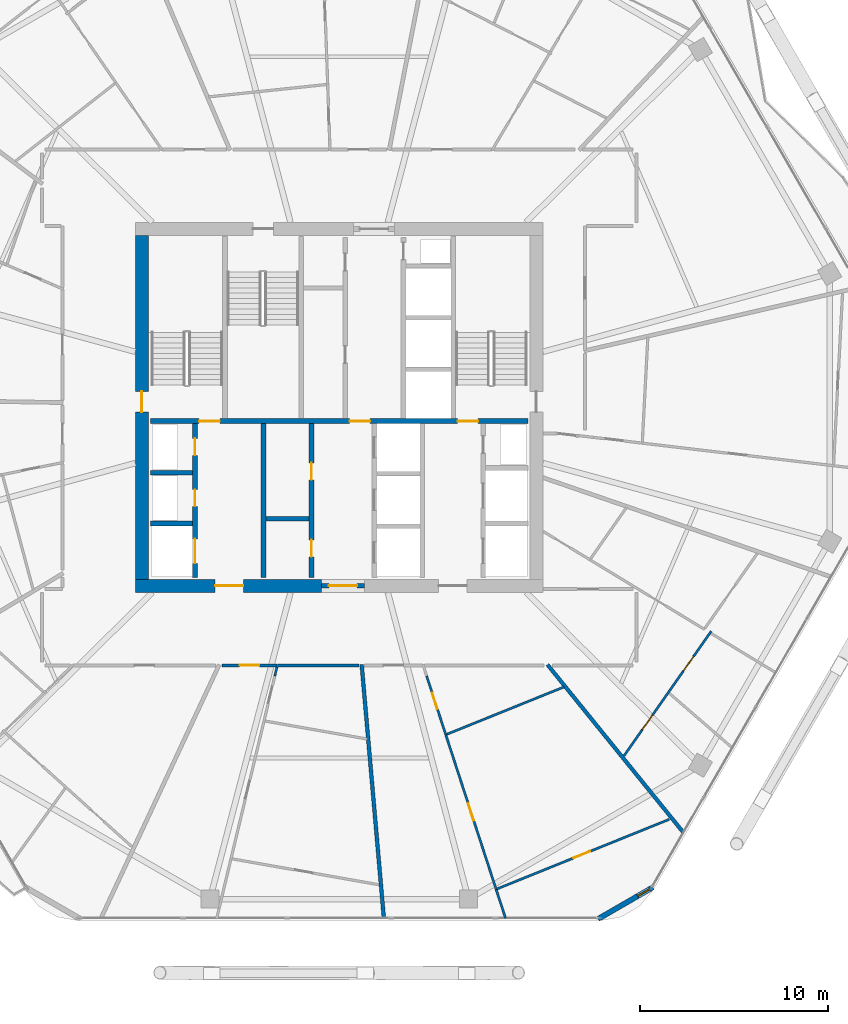
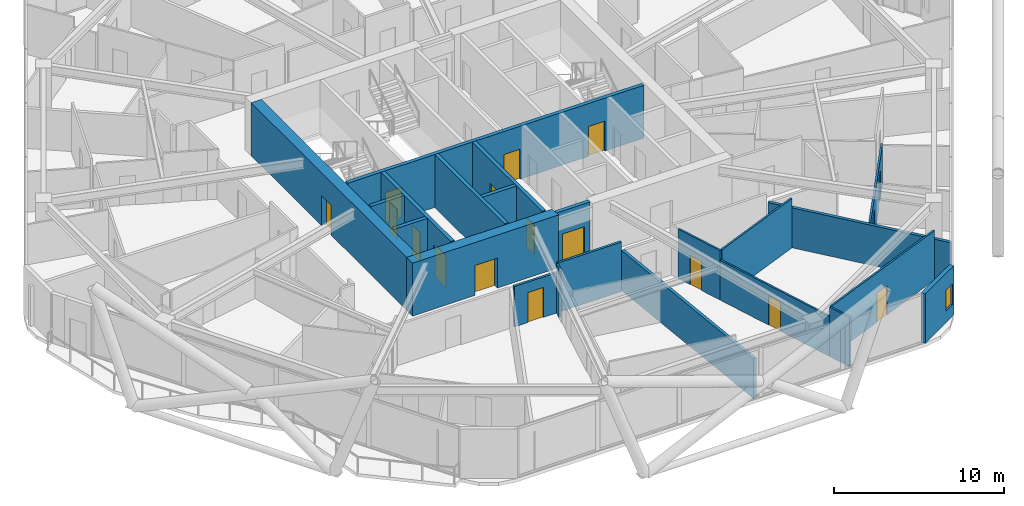
# One storey, part 20 of 27: 22 walls, 17 doors, 1 window, 18 openings.
"""IFC4 building model written with IfcOpenShell, lengths in metres."""

from ifc_helpers import new_model, si_unit, direction, frame, frame_2d, origin, place, context, subcontext, project, spatial, rectangle, extrude, material, layer, layer_set, type_object, element, fill, save


model = new_model("IFC4")

# Units and contexts
model_context = context("Model", 3, precision=1e-05, world=origin(), true_north=direction((0.0, 1.0)))
body_context = subcontext(model_context, "Body", "Model", "MODEL_VIEW")
ifc_project = project(units=[si_unit("LENGTHUNIT", "METRE"), si_unit("AREAUNIT", "SQUARE_METRE"), si_unit("VOLUMEUNIT", "CUBIC_METRE"), si_unit("PLANEANGLEUNIT", "RADIAN"), si_unit("MASSUNIT", "GRAM", prefix="KILO")], contexts=[model_context])

# Site, building, storey
site_placement = place(None, origin())
site = spatial("IfcSite", under=ifc_project, at=site_placement, CompositionType="ELEMENT")
building_placement = place(site_placement, origin())
building = spatial("IfcBuilding", under=site, at=building_placement, Name="Zuhravey Tower", CompositionType="ELEMENT")
storey_placement = place(building_placement, frame((0.0, 0.0, 215.0)))
storey = spatial("IfcBuildingStorey", under=building, at=storey_placement, Name="L54", CompositionType="ELEMENT", Elevation=215.0)

# Wall, opening, door
ifc_material_1 = material(Name="Concrete C60/75", Category="concrete")
ifc_layer_1 = layer(ifc_material_1, 0.699951171875)
ifc_layer_set_1 = layer_set([ifc_layer_1], Name="Concrete C60/75")
wall_type_1 = type_object("IfcWallType", Name="Core Shear Wall 700", PredefinedType="SHEAR", material=ifc_layer_set_1)
wall_1_placement = place(storey_placement, frame((25.14990234375, 22.5, 0.0), z_axis=(0.0, 0.0, 1.0), x_axis=(1.0, 0.0, 0.0)))
wall_1 = element("IfcWall", 1, at=wall_1_placement, inside=storey, type_object=wall_type_1, Name="L54 South-West Core Shear Wall CW70", PredefinedType="SHEAR", context=body_context, shape_type="SweptSolid", body=[
    extrude(rectangle(XDim=9.900146484375, YDim=0.699951171875, at=frame_2d((4.9501953125, 0.0))), origin(), (0.0, 0.0, 1.0), 3.800048828125),
])
opening_1_placement = place(wall_1_placement, frame((4.25, 0.0, 0.0)))
opening_1 = element("IfcOpeningElement", 2, at=opening_1_placement, cuts=wall_1, Name="Opening FFD1", PredefinedType="OPENING", context=body_context, shape_type="SweptSolid", body=[
    extrude(rectangle(XDim=1.5, YDim=2.14990234375, at=frame_2d((0.75, 1.074951171875))), frame((0.0, 0.362060546875, 0.0), z_axis=(0.0, -1.0, 0.0), x_axis=(1.0, 0.0, 0.0)), (0.0, 0.0, 1.0), 0.723876953125),
])
ifc_material_2 = material(Name="Galvanised fire-rated steel leaf", Category="steel")
door_type_1 = type_object("IfcDoorType", Name="Firefighting Lobby Double Door 1500x2150", OperationType="DOUBLE_DOOR_SINGLE_SWING", PredefinedType="DOOR", material=ifc_material_2)
door_1_placement = place(opening_1_placement, origin())
door_1 = element("IfcDoor", 3, at=door_1_placement, inside=storey, type_object=door_type_1, Name="L54 Firefighting Lobby West Door", OperationType="DOUBLE_DOOR_SINGLE_SWING", OverallHeight=2.14990234375, OverallWidth=1.5, PredefinedType="DOOR", context=body_context, shape_type="SweptSolid", body=[
    extrude(rectangle(XDim=1.5, YDim=2.14990234375, at=frame_2d((0.75, 1.074951171875))), frame((0.0, 0.02490234375, 0.0), z_axis=(0.0, -1.0, 0.0), x_axis=(1.0, 0.0, 0.0)), (0.0, 0.0, 1.0), 0.050048828125),
])
fill(opening_1, door_1)

wall_2_placement = place(storey_placement, frame((25.5, 22.85009765625, 0.0), z_axis=(0.0, 0.0, 1.0), x_axis=(0.0, 1.0, 0.0)))
wall_2 = element("IfcWall", 4, at=wall_2_placement, inside=storey, type_object=wall_type_1, Name="L54 West Core Shear Wall CW70", PredefinedType="SHEAR", context=body_context, shape_type="SweptSolid", body=[
    extrude(rectangle(XDim=18.2998046875, YDim=0.699951171875, at=frame_2d((9.14990234375, 0.0))), origin(), (0.0, 0.0, 1.0), 3.800048828125),
])
opening_2_placement = place(wall_2_placement, frame((8.89990234375, 0.0, 0.0)))
opening_2 = element("IfcOpeningElement", 5, at=opening_2_placement, cuts=wall_2, Name="Opening STD1", PredefinedType="OPENING", context=body_context, shape_type="SweptSolid", body=[
    extrude(rectangle(XDim=1.10009765625, YDim=2.14990234375, at=frame_2d((0.550048828125, 1.074951171875))), frame((0.0, 0.362060546875, 0.0), z_axis=(0.0, -1.0, 0.0), x_axis=(1.0, 0.0, 0.0)), (0.0, 0.0, 1.0), 0.723876953125),
])
door_type_2 = type_object("IfcDoorType", Name="Protected Stair Fire Door 1100x2150", OperationType="NOTDEFINED", PredefinedType="USERDEFINED", material=ifc_material_2)
door_2_placement = place(opening_2_placement, frame((1.10009765625, 0.0, 0.0), z_axis=(0.0, 0.0, 1.0), x_axis=(-1.0, 0.0, 0.0)))
door_2 = element("IfcDoor", 6, at=door_2_placement, inside=storey, type_object=door_type_2, Name="L54 Stair ST1 Door", ObjectType="EXITDOOR", OperationType="SINGLE_SWING_LEFT", OverallHeight=2.14990234375, OverallWidth=1.10009765625, PredefinedType="USERDEFINED", context=body_context, shape_type="SweptSolid", body=[
    extrude(rectangle(XDim=1.10009765625, YDim=2.14990234375, at=frame_2d((0.550048828125, 1.074951171875))), frame((0.0, 0.02490234375, 0.0), z_axis=(0.0, -1.0, 0.0), x_axis=(1.0, 0.0, 0.0)), (0.0, 0.0, 1.0), 0.050048828125),
])
fill(opening_2, door_2)

ifc_material_3 = material(Name="Gypsum fire-rated stud partition")
ifc_layer_2 = layer(ifc_material_3, 0.159912109375)
ifc_layer_set_2 = layer_set([ifc_layer_2], Name="Gypsum fire-rated stud partition")
wall_type_2 = type_object("IfcWallType", Name="Corridor Fire Partition 160", PredefinedType="PARTITIONING", material=ifc_layer_set_2)
wall_3_placement = place(storey_placement, frame((29.764892578125, 18.27001953125, 0.0), z_axis=(0.0, 0.0, 1.0), x_axis=(1.0, 0.0, 0.0)))
wall_3 = element("IfcWall", 7, at=wall_3_placement, inside=storey, type_object=wall_type_2, Name="L54 IW16 Partition 055", PredefinedType="PARTITIONING", context=body_context, shape_type="SweptSolid", body=[
    extrude(rectangle(XDim=2.92333984375, YDim=0.159912109375, at=frame_2d((1.461669921875, 0.0))), origin(), (0.0, 0.0, 1.0), 2.89990234375),
])
opening_3_placement = place(wall_3_placement, frame((0.936767578125, 0.0, 0.0)))
opening_3 = element("IfcOpeningElement", 8, at=opening_3_placement, cuts=wall_3, Name="Opening APD1", PredefinedType="OPENING", context=body_context, shape_type="SweptSolid", body=[
    extrude(rectangle(XDim=1.050048828125, YDim=2.14990234375, at=frame_2d((0.52490234375, 1.074951171875))), frame((0.0, 0.092041015625, 0.0), z_axis=(0.0, -1.0, 0.0), x_axis=(1.0, 0.0, 0.0)), (0.0, 0.0, 1.0), 0.183837890625),
])
ifc_material_4 = material(Name="Solid-core oak fire-rated leaf")
door_type_3 = type_object("IfcDoorType", Name="Apartment Entrance Fire Door 1050x2150", OperationType="NOTDEFINED", PredefinedType="DOOR", material=ifc_material_4)
door_3_placement = place(opening_3_placement, frame((1.050048828125, 0.0, 0.0), z_axis=(0.0, 0.0, 1.0), x_axis=(-1.0, 0.0, 0.0)))
door_3 = element("IfcDoor", 9, at=door_3_placement, inside=storey, type_object=door_type_3, Name="L54 Door 055.1", OperationType="SINGLE_SWING_LEFT", OverallHeight=2.14990234375, OverallWidth=1.050048828125, PredefinedType="DOOR", context=body_context, shape_type="SweptSolid", body=[
    extrude(rectangle(XDim=1.050048828125, YDim=2.14990234375, at=frame_2d((0.52490234375, 1.074951171875))), frame((0.0, 0.02490234375, 0.0), z_axis=(0.0, -1.0, 0.0), x_axis=(1.0, 0.0, 0.0)), (0.0, 0.0, 1.0), 0.050048828125),
])
fill(opening_3, door_3)

# Wall
wall_4_placement = place(storey_placement, frame((32.7294921875, 18.27001953125, 0.0), z_axis=(0.0, 0.0, 1.0), x_axis=(1.0, 0.0, 0.0)))
element("IfcWall", 10, at=wall_4_placement, inside=storey, type_object=wall_type_2, Name="L54 IW16 Partition 134", PredefinedType="PARTITIONING", context=body_context, shape_type="SweptSolid", body=[
    extrude(rectangle(XDim=4.3310546875, YDim=0.159912109375, at=frame_2d((2.16552734375, 0.0))), origin(), (0.0, 0.0, 1.0), 3.550048828125),
])

# Wall, opening, window
ifc_material_5 = material(Name="Precast concrete C40/50", Category="concrete")
ifc_layer_3 = layer(ifc_material_5, 0.280029296875)
ifc_layer_set_3 = layer_set([ifc_layer_3], Name="Precast concrete C40/50")
wall_type_3 = type_object("IfcWallType", Name="Crown Architectural Wall 280", PredefinedType="SOLIDWALL", material=ifc_layer_set_3)
wall_5_placement = place(storey_placement, frame((52.693115234375, 6.451904296875, 0.0), z_axis=(0.0, 0.0, 1.0), x_axis=(-0.866020068361, -0.500009241111, 0.0)))
wall_5 = element("IfcWall", 11, at=wall_5_placement, inside=storey, type_object=wall_type_3, Name="L54 Rounded Corner Closure Wall EW28-02", PredefinedType="SOLIDWALL", context=body_context, shape_type="SweptSolid", body=[
    extrude(rectangle(XDim=3.365234375, YDim=0.280029296875, at=frame_2d((1.6826171875, 0.0))), origin(), (0.0, 0.0, 1.0), 3.550048828125),
])
opening_4_placement = place(wall_5_placement, frame((0.17919921875, 0.0, 0.85009765625)))
opening_4 = element("IfcOpeningElement", 12, at=opening_4_placement, cuts=wall_5, Name="Opening WN5", PredefinedType="OPENING", context=body_context, shape_type="SweptSolid", body=[
    extrude(rectangle(XDim=0.75, YDim=1.5, at=frame_2d((0.375, 0.75))), frame((0.0, 0.152099609375, 0.0), z_axis=(0.0, -1.0, 0.0), x_axis=(1.0, 0.0, 0.0)), (0.0, 0.0, 1.0), 0.303955078125),
])
ifc_material_6 = material(Name="Thermally broken aluminium and triple low-E glass", Category="aluminium")
window_type = type_object("IfcWindowType", Name="Residential Corner Casement Window 750x1500", PartitioningType="SINGLE_PANEL", PredefinedType="WINDOW", material=ifc_material_6)
window_placement = place(opening_4_placement, origin())
window = element("IfcWindow", 13, at=window_placement, inside=storey, type_object=window_type, Name="L54 Corner Casement Window WN5-02.1", OverallHeight=1.5, OverallWidth=0.75, PartitioningType="SINGLE_PANEL", PredefinedType="WINDOW", context=body_context, shape_type="SweptSolid", body=[
    extrude(rectangle(XDim=0.75, YDim=1.5, at=frame_2d((0.375, 0.75))), frame((0.0, 0.030029296875, 0.0), z_axis=(0.0, -1.0, 0.0), x_axis=(1.0, 0.0, 0.0)), (0.0, 0.0, 1.0), 0.06005859375),
])
fill(opening_4, window)

# Wall, opening, door
ifc_material_7 = material(Name="Concrete C50/60", Category="concrete")
ifc_layer_4 = layer(ifc_material_7, 0.25)
ifc_layer_set_4 = layer_set([ifc_layer_4], Name="Concrete C50/60")
wall_type_4 = type_object("IfcWallType", Name="Firefighting Shaft & Stair Wall 250", PredefinedType="SOLIDWALL", material=ifc_layer_set_4)
wall_6_placement = place(storey_placement, frame((35.06005859375, 22.5, 0.0), z_axis=(0.0, 0.0, 1.0), x_axis=(1.0, 0.0, 0.0)))
wall_6 = element("IfcWall", 14, at=wall_6_placement, inside=storey, type_object=wall_type_4, Name="L54 FW25 Shaft Wall 001", PredefinedType="SOLIDWALL", context=body_context, shape_type="SweptSolid", body=[
    extrude(rectangle(XDim=2.280029296875, YDim=0.25, at=frame_2d((1.14013671875, 0.0))), origin(), (0.0, 0.0, 1.0), 3.800048828125),
])
opening_5_placement = place(wall_6_placement, frame((0.389892578125, 0.0, 0.0)))
opening_5 = element("IfcOpeningElement", 15, at=opening_5_placement, cuts=wall_6, Name="Opening FFD1", PredefinedType="OPENING", context=body_context, shape_type="SweptSolid", body=[
    extrude(rectangle(XDim=1.5, YDim=2.14990234375, at=frame_2d((0.75, 1.074951171875))), frame((0.0, 0.136962890625, 0.0), z_axis=(0.0, -1.0, 0.0), x_axis=(1.0, 0.0, 0.0)), (0.0, 0.0, 1.0), 0.27392578125),
])
door_4_placement = place(opening_5_placement, frame((1.5, 0.0, 0.0), z_axis=(0.0, 0.0, 1.0), x_axis=(-1.0, 0.0, 0.0)))
door_4 = element("IfcDoor", 16, at=door_4_placement, inside=storey, type_object=door_type_1, Name="L54 South Lift Lobby Exit Door", OperationType="DOUBLE_DOOR_SINGLE_SWING", OverallHeight=2.14990234375, OverallWidth=1.5, PredefinedType="DOOR", context=body_context, shape_type="SweptSolid", body=[
    extrude(rectangle(XDim=1.5, YDim=2.14990234375, at=frame_2d((0.75, 1.074951171875))), frame((0.0, 0.02490234375, 0.0), z_axis=(0.0, -1.0, 0.0), x_axis=(1.0, 0.0, 0.0)), (0.0, 0.0, 1.0), 0.050048828125),
])
fill(opening_5, door_4)

# Wall, openings, doors
wall_7_placement = place(storey_placement, frame((25.949951171875, 31.27490234375, 0.0), z_axis=(0.0, 0.0, 1.0), x_axis=(1.0, 0.0, 0.0)))
wall_7 = element("IfcWall", 17, at=wall_7_placement, inside=storey, type_object=wall_type_4, Name="L54 FW25 Shaft Wall 003", PredefinedType="SOLIDWALL", context=body_context, shape_type="SweptSolid", body=[
    extrude(rectangle(XDim=20.10009765625, YDim=0.25, at=frame_2d((10.050048828125, 0.0))), origin(), (0.0, 0.0, 1.0), 3.800048828125),
])
opening_6_placement = place(wall_7_placement, frame((2.60009765625, 0.0, 0.0)))
opening_6 = element("IfcOpeningElement", 18, at=opening_6_placement, cuts=wall_7, Name="Opening STD1", PredefinedType="OPENING", context=body_context, shape_type="SweptSolid", body=[
    extrude(rectangle(XDim=1.10009765625, YDim=2.14990234375, at=frame_2d((0.550048828125, 1.074951171875))), frame((0.0, 0.136962890625, 0.0), z_axis=(0.0, -1.0, 0.0), x_axis=(1.0, 0.0, 0.0)), (0.0, 0.0, 1.0), 0.27392578125),
])
opening_7_placement = place(wall_7_placement, frame((10.60009765625, 0.0, 0.0)))
opening_7 = element("IfcOpeningElement", 19, at=opening_7_placement, cuts=wall_7, Name="Opening STD1", PredefinedType="OPENING", context=body_context, shape_type="SweptSolid", body=[
    extrude(rectangle(XDim=1.10009765625, YDim=2.14990234375, at=frame_2d((0.550048828125, 1.074951171875))), frame((0.0, 0.136962890625, 0.0), z_axis=(0.0, -1.0, 0.0), x_axis=(1.0, 0.0, 0.0)), (0.0, 0.0, 1.0), 0.27392578125),
])
opening_8_placement = place(wall_7_placement, frame((16.35009765625, 0.0, 0.0)))
opening_8 = element("IfcOpeningElement", 20, at=opening_8_placement, cuts=wall_7, Name="Opening STD1", PredefinedType="OPENING", context=body_context, shape_type="SweptSolid", body=[
    extrude(rectangle(XDim=1.10009765625, YDim=2.14990234375, at=frame_2d((0.550048828125, 1.074951171875))), frame((0.0, 0.136962890625, 0.0), z_axis=(0.0, -1.0, 0.0), x_axis=(1.0, 0.0, 0.0)), (0.0, 0.0, 1.0), 0.27392578125),
])
door_5_placement = place(opening_6_placement, origin())
door_5 = element("IfcDoor", 21, at=door_5_placement, inside=storey, type_object=door_type_2, Name="L54 FFL-W to ST1 Door", ObjectType="EXITDOOR", OperationType="SINGLE_SWING_RIGHT", OverallHeight=2.14990234375, OverallWidth=1.10009765625, PredefinedType="USERDEFINED", context=body_context, shape_type="SweptSolid", body=[
    extrude(rectangle(XDim=1.10009765625, YDim=2.14990234375, at=frame_2d((0.550048828125, 1.074951171875))), frame((0.0, 0.02490234375, 0.0), z_axis=(0.0, -1.0, 0.0), x_axis=(1.0, 0.0, 0.0)), (0.0, 0.0, 1.0), 0.050048828125),
])
fill(opening_6, door_5)
door_6_placement = place(opening_7_placement, origin())
door_6 = element("IfcDoor", 22, at=door_6_placement, inside=storey, type_object=door_type_2, Name="L54 Core Lobby Link Door", ObjectType="EXITDOOR", OperationType="SINGLE_SWING_LEFT", OverallHeight=2.14990234375, OverallWidth=1.10009765625, PredefinedType="USERDEFINED", context=body_context, shape_type="SweptSolid", body=[
    extrude(rectangle(XDim=1.10009765625, YDim=2.14990234375, at=frame_2d((0.550048828125, 1.074951171875))), frame((0.0, 0.02490234375, 0.0), z_axis=(0.0, -1.0, 0.0), x_axis=(1.0, 0.0, 0.0)), (0.0, 0.0, 1.0), 0.050048828125),
])
fill(opening_7, door_6)
door_7_placement = place(opening_8_placement, origin())
door_7 = element("IfcDoor", 23, at=door_7_placement, inside=storey, type_object=door_type_2, Name="L54 FFL-E to ST2 Door", ObjectType="EXITDOOR", OperationType="SINGLE_SWING_RIGHT", OverallHeight=2.14990234375, OverallWidth=1.10009765625, PredefinedType="USERDEFINED", context=body_context, shape_type="SweptSolid", body=[
    extrude(rectangle(XDim=1.10009765625, YDim=2.14990234375, at=frame_2d((0.550048828125, 1.074951171875))), frame((0.0, 0.02490234375, 0.0), z_axis=(0.0, -1.0, 0.0), x_axis=(1.0, 0.0, 0.0)), (0.0, 0.0, 1.0), 0.050048828125),
])
fill(opening_8, door_7)

# Walls
for number, where, z_axis, x_axis, name in (
    (24, (25.949951171875, 25.824951171875, 0.0), (0.0, 0.0, 1.0), (1.0, 0.0, 0.0), "L54 FW25 Shaft Wall 009"),
    (25, (25.949951171875, 28.52490234375, 0.0), (0.0, 0.0, 1.0), (1.0, 0.0, 0.0), "L54 FW25 Shaft Wall 010"),
):
    element("IfcWall", number, at=place(storey_placement, frame(where, z_axis=z_axis, x_axis=x_axis)), inside=storey, type_object=wall_type_4, Name=name, PredefinedType="SOLIDWALL", context=body_context, shape_type="SweptSolid", body=[
        extrude(rectangle(XDim=2.25, YDim=0.25, at=frame_2d((1.125, 0.0))), origin(), (0.0, 0.0, 1.0), 3.800048828125),
    ])

# Wall, openings, doors
wall_8_placement = place(storey_placement, frame((28.324951171875, 22.949951171875, 0.0), z_axis=(0.0, 0.0, 1.0), x_axis=(0.0, 1.0, 0.0)))
wall_8 = element("IfcWall", 26, at=wall_8_placement, inside=storey, type_object=wall_type_4, Name="L54 FW25 Shaft Wall 011", PredefinedType="SOLIDWALL", context=body_context, shape_type="SweptSolid", body=[
    extrude(rectangle(XDim=8.199951171875, YDim=0.25, at=frame_2d((4.10009765625, 0.0))), origin(), (0.0, 0.0, 1.0), 3.800048828125),
])
opening_9_placement = place(wall_8_placement, frame((0.75, 0.0, 0.0)))
opening_9 = element("IfcOpeningElement", 27, at=opening_9_placement, cuts=wall_8, Name="Opening LD2", PredefinedType="OPENING", context=body_context, shape_type="SweptSolid", body=[
    extrude(rectangle(XDim=1.300048828125, YDim=2.300048828125, at=frame_2d((0.64990234375, 1.14990234375))), frame((0.0, 0.136962890625, 0.0), z_axis=(0.0, -1.0, 0.0), x_axis=(1.0, 0.0, 0.0)), (0.0, 0.0, 1.0), 0.27392578125),
])
opening_10_placement = place(wall_8_placement, frame((3.780029296875, 0.0, 0.0)))
opening_10 = element("IfcOpeningElement", 28, at=opening_10_placement, cuts=wall_8, Name="Opening RSD1", PredefinedType="OPENING", context=body_context, shape_type="SweptSolid", body=[
    extrude(rectangle(XDim=0.89990234375, YDim=2.10009765625, at=frame_2d((0.449951171875, 1.050048828125))), frame((0.0, 0.136962890625, 0.0), z_axis=(0.0, -1.0, 0.0), x_axis=(1.0, 0.0, 0.0)), (0.0, 0.0, 1.0), 0.27392578125),
])
opening_11_placement = place(wall_8_placement, frame((6.5, 0.0, 0.0)))
opening_11 = element("IfcOpeningElement", 29, at=opening_11_placement, cuts=wall_8, Name="Opening RSD1", PredefinedType="OPENING", context=body_context, shape_type="SweptSolid", body=[
    extrude(rectangle(XDim=0.89990234375, YDim=2.10009765625, at=frame_2d((0.449951171875, 1.050048828125))), frame((0.0, 0.136962890625, 0.0), z_axis=(0.0, -1.0, 0.0), x_axis=(1.0, 0.0, 0.0)), (0.0, 0.0, 1.0), 0.27392578125),
])
ifc_material_8 = material(Name="Brushed stainless steel", Category="steel")
door_type_4 = type_object("IfcDoorType", Name="Freight & Stretcher Lift Sliding Door 1300x2300", OperationType="DOUBLE_DOOR_SLIDING", PredefinedType="DOOR", material=ifc_material_8)
door_8_placement = place(opening_9_placement, frame((1.300048828125, 0.0, 0.0), z_axis=(0.0, 0.0, 1.0), x_axis=(-1.0, 0.0, 0.0)))
door_8 = element("IfcDoor", 30, at=door_8_placement, inside=storey, type_object=door_type_4, Name="L54 Lift FF1 Landing Door", OperationType="DOUBLE_DOOR_SLIDING", OverallHeight=2.300048828125, OverallWidth=1.300048828125, PredefinedType="DOOR", context=body_context, shape_type="SweptSolid", body=[
    extrude(rectangle(XDim=1.300048828125, YDim=2.300048828125, at=frame_2d((0.64990234375, 1.14990234375))), frame((0.0, 0.02490234375, 0.0), z_axis=(0.0, -1.0, 0.0), x_axis=(1.0, 0.0, 0.0)), (0.0, 0.0, 1.0), 0.050048828125),
])
fill(opening_9, door_8)
ifc_material_9 = material(Name="Galvanised fire-rated steel access leaf", Category="steel")
door_type_5 = type_object("IfcDoorType", Name="Riser & Shaft Access Fire Door 900x2100", OperationType="NOTDEFINED", PredefinedType="DOOR", material=ifc_material_9)
door_9_placement = place(opening_10_placement, frame((0.89990234375, 0.0, 0.0), z_axis=(0.0, 0.0, 1.0), x_axis=(-1.0, 0.0, 0.0)))
door_9 = element("IfcDoor", 31, at=door_9_placement, inside=storey, type_object=door_type_5, Name="L54 Electrical Riser Door", OperationType="SINGLE_SWING_RIGHT", OverallHeight=2.10009765625, OverallWidth=0.89990234375, PredefinedType="DOOR", context=body_context, shape_type="SweptSolid", body=[
    extrude(rectangle(XDim=0.89990234375, YDim=2.10009765625, at=frame_2d((0.449951171875, 1.050048828125))), frame((0.0, 0.02490234375, 0.0), z_axis=(0.0, -1.0, 0.0), x_axis=(1.0, 0.0, 0.0)), (0.0, 0.0, 1.0), 0.050048828125),
])
fill(opening_10, door_9)
door_10_placement = place(opening_11_placement, frame((0.89990234375, 0.0, 0.0), z_axis=(0.0, 0.0, 1.0), x_axis=(-1.0, 0.0, 0.0)))
door_10 = element("IfcDoor", 32, at=door_10_placement, inside=storey, type_object=door_type_5, Name="L54 Smoke Shaft Access Door", OperationType="SINGLE_SWING_LEFT", OverallHeight=2.10009765625, OverallWidth=0.89990234375, PredefinedType="DOOR", context=body_context, shape_type="SweptSolid", body=[
    extrude(rectangle(XDim=0.89990234375, YDim=2.10009765625, at=frame_2d((0.449951171875, 1.050048828125))), frame((0.0, 0.02490234375, 0.0), z_axis=(0.0, -1.0, 0.0), x_axis=(1.0, 0.0, 0.0)), (0.0, 0.0, 1.0), 0.050048828125),
])
fill(opening_11, door_10)

# Walls
wall_9_placement = place(storey_placement, frame((31.97509765625, 22.949951171875, 0.0), z_axis=(0.0, 0.0, 1.0), x_axis=(0.0, 1.0, 0.0)))
element("IfcWall", 33, at=wall_9_placement, inside=storey, type_object=wall_type_4, Name="L54 FW25 Shaft Wall 012", PredefinedType="SOLIDWALL", context=body_context, shape_type="SweptSolid", body=[
    extrude(rectangle(XDim=8.199951171875, YDim=0.25, at=frame_2d((4.10009765625, 0.0))), origin(), (0.0, 0.0, 1.0), 3.800048828125),
])
wall_10_placement = place(storey_placement, frame((32.10009765625, 26.074951171875, 0.0), z_axis=(0.0, 0.0, 1.0), x_axis=(1.0, 0.0, 0.0)))
element("IfcWall", 34, at=wall_10_placement, inside=storey, type_object=wall_type_4, Name="L54 FW25 Shaft Wall 013", PredefinedType="SOLIDWALL", context=body_context, shape_type="SweptSolid", body=[
    extrude(rectangle(XDim=2.2998046875, YDim=0.25, at=frame_2d((1.14990234375, 0.0))), origin(), (0.0, 0.0, 1.0), 3.800048828125),
])

# Wall, openings, doors
wall_11_placement = place(storey_placement, frame((34.52490234375, 22.949951171875, 0.0), z_axis=(0.0, 0.0, 1.0), x_axis=(0.0, 1.0, 0.0)))
wall_11 = element("IfcWall", 35, at=wall_11_placement, inside=storey, type_object=wall_type_4, Name="L54 FW25 Shaft Wall 014", PredefinedType="SOLIDWALL", context=body_context, shape_type="SweptSolid", body=[
    extrude(rectangle(XDim=8.199951171875, YDim=0.25, at=frame_2d((4.10009765625, 0.0))), origin(), (0.0, 0.0, 1.0), 3.800048828125),
])
opening_12_placement = place(wall_11_placement, frame((1.10009765625, 0.0, 0.0)))
opening_12 = element("IfcOpeningElement", 36, at=opening_12_placement, cuts=wall_11, Name="Opening RSD1", PredefinedType="OPENING", context=body_context, shape_type="SweptSolid", body=[
    extrude(rectangle(XDim=0.89990234375, YDim=2.10009765625, at=frame_2d((0.449951171875, 1.050048828125))), frame((0.0, 0.136962890625, 0.0), z_axis=(0.0, -1.0, 0.0), x_axis=(1.0, 0.0, 0.0)), (0.0, 0.0, 1.0), 0.27392578125),
])
opening_13_placement = place(wall_11_placement, frame((5.199951171875, 0.0, 0.0)))
opening_13 = element("IfcOpeningElement", 37, at=opening_13_placement, cuts=wall_11, Name="Opening RSD1", PredefinedType="OPENING", context=body_context, shape_type="SweptSolid", body=[
    extrude(rectangle(XDim=0.89990234375, YDim=2.10009765625, at=frame_2d((0.449951171875, 1.050048828125))), frame((0.0, 0.136962890625, 0.0), z_axis=(0.0, -1.0, 0.0), x_axis=(1.0, 0.0, 0.0)), (0.0, 0.0, 1.0), 0.27392578125),
])
door_11_placement = place(opening_12_placement, origin())
door_11 = element("IfcDoor", 38, at=door_11_placement, inside=storey, type_object=door_type_5, Name="L54 Metering Room Door", OperationType="SINGLE_SWING_RIGHT", OverallHeight=2.10009765625, OverallWidth=0.89990234375, PredefinedType="DOOR", context=body_context, shape_type="SweptSolid", body=[
    extrude(rectangle(XDim=0.89990234375, YDim=2.10009765625, at=frame_2d((0.449951171875, 1.050048828125))), frame((0.0, 0.02490234375, 0.0), z_axis=(0.0, -1.0, 0.0), x_axis=(1.0, 0.0, 0.0)), (0.0, 0.0, 1.0), 0.050048828125),
])
fill(opening_12, door_11)
door_12_placement = place(opening_13_placement, origin())
door_12 = element("IfcDoor", 39, at=door_12_placement, inside=storey, type_object=door_type_5, Name="L54 Housekeeping Supply Door", OperationType="SINGLE_SWING_LEFT", OverallHeight=2.10009765625, OverallWidth=0.89990234375, PredefinedType="DOOR", context=body_context, shape_type="SweptSolid", body=[
    extrude(rectangle(XDim=0.89990234375, YDim=2.10009765625, at=frame_2d((0.449951171875, 1.050048828125))), frame((0.0, 0.02490234375, 0.0), z_axis=(0.0, -1.0, 0.0), x_axis=(1.0, 0.0, 0.0)), (0.0, 0.0, 1.0), 0.050048828125),
])
fill(opening_13, door_12)

# Walls
ifc_material_10 = material(Name="Gypsum double-stud party assembly")
ifc_layer_5 = layer(ifc_material_10, 0.199951171875)
ifc_layer_set_5 = layer_set([ifc_layer_5], Name="Gypsum double-stud party assembly")
wall_type_5 = type_object("IfcWallType", Name="Inter-Tenancy Party Wall 200", PredefinedType="PARTITIONING", material=ifc_layer_set_5)
wall_12_placement = place(storey_placement, frame((37.19775390625, 18.31005859375, 0.0), z_axis=(0.0, 0.0, 1.0), x_axis=(0.087149956805, -0.996195204279, 0.0)))
element("IfcWall", 40, at=wall_12_placement, inside=storey, type_object=wall_type_5, Name="L54 IW20 Partition 109", PredefinedType="PARTITIONING", context=body_context, shape_type="SweptSolid", body=[
    extrude(rectangle(XDim=13.544677734375, YDim=0.199951171875, at=frame_2d((6.7724609375, 0.0))), origin(), (0.0, 0.0, 1.0), 2.8701171875),
])
wall_13_placement = place(storey_placement, frame((47.0859375, 18.31005859375, 0.0), z_axis=(0.0, 0.0, 1.0), x_axis=(0.629320349521, -0.777145995086, 0.0)))
element("IfcWall", 41, at=wall_13_placement, inside=storey, type_object=wall_type_5, Name="L54 IW20 Partition 113", PredefinedType="PARTITIONING", context=body_context, shape_type="SweptSolid", body=[
    extrude(rectangle(XDim=11.50146484375, YDim=0.199951171875, at=frame_2d((5.750732421875, 0.0))), origin(), (0.0, 0.0, 1.0), 2.8701171875),
])

# Wall, opening, door
ifc_material_11 = material(Name="Gypsum metal-stud partition")
ifc_layer_6 = layer(ifc_material_11, 0.1201171875)
ifc_layer_set_6 = layer_set([ifc_layer_6], Name="Gypsum metal-stud partition")
wall_type_6 = type_object("IfcWallType", Name="Unit Internal Partition 120", PredefinedType="PARTITIONING", material=ifc_layer_set_6)
wall_14_placement = place(storey_placement, frame((40.657470703125, 17.699951171875, 0.0), z_axis=(0.0, 0.0, 1.0), x_axis=(0.309645010921, -0.950852232059, 0.0)))
wall_14 = element("IfcWall", 42, at=wall_14_placement, inside=storey, type_object=wall_type_6, Name="L54 IW12 Partition 056", PredefinedType="PARTITIONING", context=body_context, shape_type="SweptSolid", body=[
    extrude(rectangle(XDim=3.308349609375, YDim=0.1201171875, at=frame_2d((1.654296875, 0.0))), origin(), (0.0, 0.0, 1.0), 3.550048828125),
])
opening_14_placement = place(wall_14_placement, frame((0.939697265625, 0.0, 0.0)))
opening_14 = element("IfcOpeningElement", 43, at=opening_14_placement, cuts=wall_14, Name="Opening WCD1", PredefinedType="OPENING", context=body_context, shape_type="SweptSolid", body=[
    extrude(rectangle(XDim=0.89990234375, YDim=2.10009765625, at=frame_2d((0.449951171875, 1.050048828125))), frame((0.0, 0.072021484375, 0.0), z_axis=(0.0, -1.0, 0.0), x_axis=(1.0, 0.0, 0.0)), (0.0, 0.0, 1.0), 0.14404296875),
])
ifc_material_12 = material(Name="Moisture-resistant timber leaf", Category="wood")
door_type_6 = type_object("IfcDoorType", Name="Bathroom & WC Internal Door 900x2100", OperationType="NOTDEFINED", PredefinedType="DOOR", material=ifc_material_12)
door_13_placement = place(opening_14_placement, origin())
door_13 = element("IfcDoor", 44, at=door_13_placement, inside=storey, type_object=door_type_6, Name="Apartment L54-08 Bathroom Door", OperationType="SINGLE_SWING_RIGHT", OverallHeight=2.10009765625, OverallWidth=0.89990234375, PredefinedType="DOOR", context=body_context, shape_type="SweptSolid", body=[
    extrude(rectangle(XDim=0.89990234375, YDim=2.10009765625, at=frame_2d((0.449951171875, 1.050048828125))), frame((0.0, 0.02490234375, 0.0), z_axis=(0.0, -1.0, 0.0), x_axis=(1.0, 0.0, 0.0)), (0.0, 0.0, 1.0), 0.050048828125),
])
fill(opening_14, door_13)

wall_15_placement = place(storey_placement, frame((41.681884765625, 14.55419921875, 0.0), z_axis=(0.0, 0.0, 1.0), x_axis=(0.309677992157, -0.950841491087, 0.0)))
wall_15 = element("IfcWall", 45, at=wall_15_placement, inside=storey, type_object=wall_type_6, Name="L54 IW12 Partition 057", PredefinedType="PARTITIONING", context=body_context, shape_type="SweptSolid", body=[
    extrude(rectangle(XDim=8.65380859375, YDim=0.1201171875, at=frame_2d((4.326904296875, 0.0))), origin(), (0.0, 0.0, 1.0), 2.8701171875),
])
opening_15_placement = place(wall_15_placement, frame((3.826904296875, 0.0, 0.0)))
opening_15 = element("IfcOpeningElement", 46, at=opening_15_placement, cuts=wall_15, Name="Opening IND1", PredefinedType="OPENING", context=body_context, shape_type="SweptSolid", body=[
    extrude(rectangle(XDim=0.949951171875, YDim=2.10009765625, at=frame_2d((0.47509765625, 1.050048828125))), frame((0.0, 0.072021484375, 0.0), z_axis=(0.0, -1.0, 0.0), x_axis=(1.0, 0.0, 0.0)), (0.0, 0.0, 1.0), 0.14404296875),
])
ifc_material_13 = material(Name="Painted engineered timber leaf", Category="wood")
door_type_7 = type_object("IfcDoorType", Name="Internal Room & Bedroom Door 950x2100", OperationType="NOTDEFINED", PredefinedType="DOOR", material=ifc_material_13)
door_14_placement = place(opening_15_placement, origin())
door_14 = element("IfcDoor", 47, at=door_14_placement, inside=storey, type_object=door_type_7, Name="Apartment L54-08 Home Office Door", OperationType="SINGLE_SWING_LEFT", OverallHeight=2.10009765625, OverallWidth=0.949951171875, PredefinedType="DOOR", context=body_context, shape_type="SweptSolid", body=[
    extrude(rectangle(XDim=0.949951171875, YDim=2.10009765625, at=frame_2d((0.47509765625, 1.050048828125))), frame((0.0, 0.02490234375, 0.0), z_axis=(0.0, -1.0, 0.0), x_axis=(1.0, 0.0, 0.0)), (0.0, 0.0, 1.0), 0.050048828125),
])
fill(opening_15, door_14)

wall_16_placement = place(storey_placement, frame((44.41748046875, 6.375, 0.0), z_axis=(0.0, 0.0, 1.0), x_axis=(0.927190135349, 0.374591047559, 0.0)))
wall_16 = element("IfcWall", 48, at=wall_16_placement, inside=storey, type_object=wall_type_6, Name="L54 IW12 Partition 058", PredefinedType="PARTITIONING", context=body_context, shape_type="SweptSolid", body=[
    extrude(rectangle(XDim=9.870849609375, YDim=0.1201171875, at=frame_2d((4.935546875, 0.0))), origin(), (0.0, 0.0, 1.0), 3.550048828125),
])
opening_16_placement = place(wall_16_placement, frame((4.37646484375, 0.0, 0.0)))
opening_16 = element("IfcOpeningElement", 49, at=opening_16_placement, cuts=wall_16, Name="Opening IND1", PredefinedType="OPENING", context=body_context, shape_type="SweptSolid", body=[
    extrude(rectangle(XDim=0.949951171875, YDim=2.10009765625, at=frame_2d((0.47509765625, 1.050048828125))), frame((0.0, 0.072021484375, 0.0), z_axis=(0.0, -1.0, 0.0), x_axis=(1.0, 0.0, 0.0)), (0.0, 0.0, 1.0), 0.14404296875),
])
door_15_placement = place(opening_16_placement, frame((0.949951171875, 0.0, 0.0), z_axis=(0.0, 0.0, 1.0), x_axis=(-1.0, 0.0, 0.0)))
door_15 = element("IfcDoor", 50, at=door_15_placement, inside=storey, type_object=door_type_7, Name="Apartment L54-08 Bedroom 1 Door", OperationType="SINGLE_SWING_RIGHT", OverallHeight=2.10009765625, OverallWidth=0.949951171875, PredefinedType="DOOR", context=body_context, shape_type="SweptSolid", body=[
    extrude(rectangle(XDim=0.949951171875, YDim=2.10009765625, at=frame_2d((0.47509765625, 1.050048828125))), frame((0.0, 0.02490234375, 0.0), z_axis=(0.0, -1.0, 0.0), x_axis=(1.0, 0.0, 0.0)), (0.0, 0.0, 1.0), 0.050048828125),
])
fill(opening_16, door_15)

# Wall, openings, doors
wall_17_placement = place(storey_placement, frame((51.15966796875, 13.45263671875, 0.0), z_axis=(0.0, 0.0, 1.0), x_axis=(0.573591844673, 0.81914125505, 0.0)))
wall_17 = element("IfcWall", 51, at=wall_17_placement, inside=storey, type_object=wall_type_6, Name="L54 IW12 Partition 060", PredefinedType="PARTITIONING", context=body_context, shape_type="SweptSolid", body=[
    extrude(rectangle(XDim=8.09716796875, YDim=0.1201171875, at=frame_2d((4.048583984375, 0.0))), origin(), (0.0, 0.0, 1.0), 2.89990234375),
])
opening_17_placement = place(wall_17_placement, frame((1.70458984375, 0.0, 0.0)))
opening_17 = element("IfcOpeningElement", 52, at=opening_17_placement, cuts=wall_17, Name="Opening IND1", PredefinedType="OPENING", context=body_context, shape_type="SweptSolid", body=[
    extrude(rectangle(XDim=0.949951171875, YDim=2.10009765625, at=frame_2d((0.47509765625, 1.050048828125))), frame((0.0, 0.072021484375, 0.0), z_axis=(0.0, -1.0, 0.0), x_axis=(1.0, 0.0, 0.0)), (0.0, 0.0, 1.0), 0.14404296875),
])
opening_18_placement = place(wall_17_placement, frame((5.5126953125, 0.0, 0.0)))
opening_18 = element("IfcOpeningElement", 53, at=opening_18_placement, cuts=wall_17, Name="Opening IND1", PredefinedType="OPENING", context=body_context, shape_type="SweptSolid", body=[
    extrude(rectangle(XDim=0.949951171875, YDim=2.10009765625, at=frame_2d((0.47509765625, 1.050048828125))), frame((0.0, 0.072021484375, 0.0), z_axis=(0.0, -1.0, 0.0), x_axis=(1.0, 0.0, 0.0)), (0.0, 0.0, 1.0), 0.14404296875),
])
door_16_placement = place(opening_17_placement, frame((0.949951171875, 0.0, 0.0), z_axis=(0.0, 0.0, 1.0), x_axis=(-1.0, 0.0, 0.0)))
door_16 = element("IfcDoor", 54, at=door_16_placement, inside=storey, type_object=door_type_7, Name="Apartment L54-09 Family Study Door", OperationType="SINGLE_SWING_RIGHT", OverallHeight=2.10009765625, OverallWidth=0.949951171875, PredefinedType="DOOR", context=body_context, shape_type="SweptSolid", body=[
    extrude(rectangle(XDim=0.949951171875, YDim=2.10009765625, at=frame_2d((0.47509765625, 1.050048828125))), frame((0.0, 0.02490234375, 0.0), z_axis=(0.0, -1.0, 0.0), x_axis=(1.0, 0.0, 0.0)), (0.0, 0.0, 1.0), 0.050048828125),
])
fill(opening_17, door_16)
door_17_placement = place(opening_18_placement, frame((0.949951171875, 0.0, 0.0), z_axis=(0.0, 0.0, 1.0), x_axis=(-1.0, 0.0, 0.0)))
door_17 = element("IfcDoor", 55, at=door_17_placement, inside=storey, type_object=door_type_7, Name="Apartment L54-09 Dining Room Door", OperationType="SINGLE_SWING_LEFT", OverallHeight=2.10009765625, OverallWidth=0.949951171875, PredefinedType="DOOR", context=body_context, shape_type="SweptSolid", body=[
    extrude(rectangle(XDim=0.949951171875, YDim=2.10009765625, at=frame_2d((0.47509765625, 1.050048828125))), frame((0.0, 0.02490234375, 0.0), z_axis=(0.0, -1.0, 0.0), x_axis=(1.0, 0.0, 0.0)), (0.0, 0.0, 1.0), 0.050048828125),
])
fill(opening_18, door_17)

# Walls
wall_18_placement = place(storey_placement, frame((32.687744140625, 18.181884765625, 0.0), z_axis=(0.0, 0.0, 1.0), x_axis=(-0.233018921574, -0.972472201242, 0.0)))
element("IfcWall", 56, at=wall_18_placement, inside=storey, type_object=wall_type_6, Name="L54 IW12 Partition 105", PredefinedType="PARTITIONING", context=body_context, shape_type="SweptSolid", body=[
    extrude(rectangle(XDim=0.49560546875, YDim=0.1201171875, at=frame_2d((0.247802734375, 0.0))), origin(), (0.0, 0.0, 1.0), 3.550048828125),
])
wall_19_placement = place(storey_placement, frame((44.36181640625, 6.32568359375, 0.0), z_axis=(0.0, 0.0, 1.0), x_axis=(0.30977951733, -0.950808419527, 0.0)))
element("IfcWall", 57, at=wall_19_placement, inside=storey, type_object=wall_type_6, Name="L54 IW12 Partition 111", PredefinedType="PARTITIONING", context=body_context, shape_type="SweptSolid", body=[
    extrude(rectangle(XDim=1.592041015625, YDim=0.1201171875, at=frame_2d((0.7958984375, 0.0))), origin(), (0.0, 0.0, 1.0), 3.550048828125),
])
wall_20_placement = place(storey_placement, frame((41.737548828125, 14.603515625, 0.0), z_axis=(0.0, 0.0, 1.0), x_axis=(0.927179926312, 0.374616316042, 0.0)))
element("IfcWall", 58, at=wall_20_placement, inside=storey, type_object=wall_type_6, Name="L54 IW12 Partition 112", PredefinedType="PARTITIONING", context=body_context, shape_type="SweptSolid", body=[
    extrude(rectangle(XDim=6.7158203125, YDim=0.1201171875, at=frame_2d((3.35791015625, 0.0))), origin(), (0.0, 0.0, 1.0), 3.550048828125),
])

save(model, "model.ifc")
